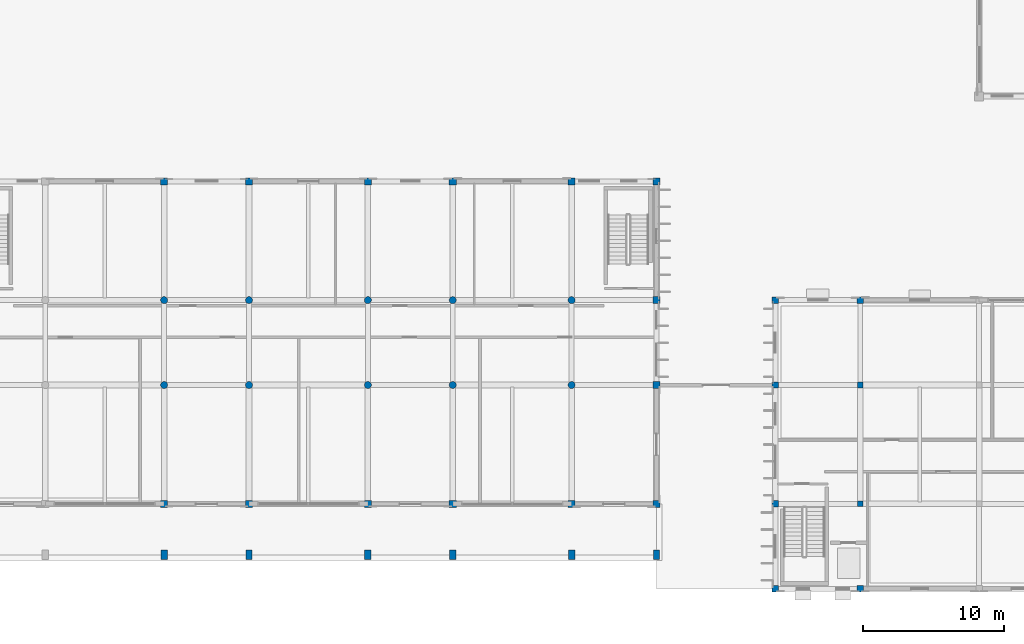
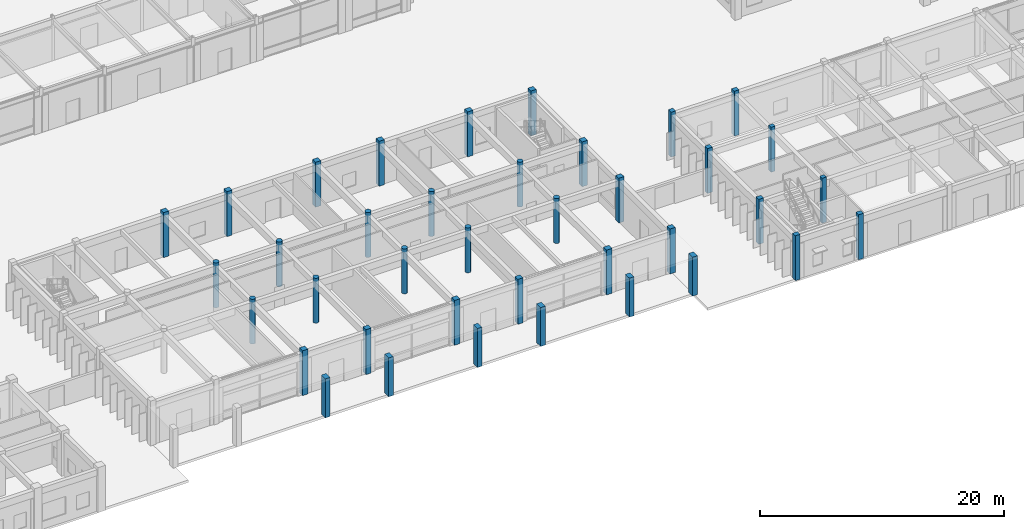
# One storey, part 3 of 67: 38 columns.
"""IFC4 building model written with IfcOpenShell, lengths in metres."""

from ifc_helpers import new_model, si_unit, direction, frame, origin, origin_2d, place, context, subcontext, project, spatial, rectangle, circle, extrude, material, material_profile, profile_set, type_object, element, save


model = new_model("IFC4")

# Units and contexts
model_context = context("Model", 3, precision=1e-05, world=origin(), true_north=direction((0.0, 1.0)))
body_context = subcontext(model_context, "Body", "Model", "MODEL_VIEW")
ifc_project = project(units=[si_unit("LENGTHUNIT", "METRE"), si_unit("AREAUNIT", "SQUARE_METRE"), si_unit("VOLUMEUNIT", "CUBIC_METRE"), si_unit("PLANEANGLEUNIT", "RADIAN"), si_unit("MASSUNIT", "GRAM", prefix="KILO"), si_unit("THERMODYNAMICTEMPERATUREUNIT", "KELVIN")], contexts=[model_context])

# Site, building, storey
site_placement = place(None, origin())
site = spatial("IfcSite", under=ifc_project, at=site_placement, CompositionType="ELEMENT")
building_placement = place(site_placement, origin())
building = spatial("IfcBuilding", under=site, at=building_placement, Name="Thalorik Housing Commons", CompositionType="ELEMENT")
storey_placement = place(building_placement, origin())
storey = spatial("IfcBuildingStorey", under=building, at=storey_placement, Name="L00", CompositionType="ELEMENT", Elevation=0.0)

# Columns
ifc_material = material(Name="Precast concrete C40/50", Category="concrete")
ifc_material_profile_1 = material_profile(ifc_material, circle(Radius=0.25, at=origin_2d()), Name="PC D500", Category="concrete")
ifc_profile_set_1 = profile_set([ifc_material_profile_1], Name="Precast concrete C40/50")
column_type_1 = type_object("IfcColumnType", Name="STR-COL-D500", PredefinedType="COLUMN", material=ifc_profile_set_1)
for number, where, z_axis, x_axis, name in (
    (1, (80.39990234375, 22.800048828125, 0.0), (0.0, 0.0, 1.0), (1.0, 0.0, 0.0), "L00 Column C-D50"),
    (2, (80.39990234375, 28.800048828125, 0.0), (0.0, 0.0, 1.0), (1.0, 0.0, 0.0), "L00 Column C-D50"),
    (3, (86.39990234375, 22.800048828125, 0.0), (0.0, 0.0, 1.0), (1.0, 0.0, 0.0), "L00 Column C-D50"),
    (4, (86.39990234375, 28.800048828125, 0.0), (0.0, 0.0, 1.0), (1.0, 0.0, 0.0), "L00 Column C-D50"),
    (5, (94.800048828125, 22.800048828125, 0.0), (0.0, 0.0, 1.0), (1.0, 0.0, 0.0), "L00 Column C-D50"),
    (6, (94.800048828125, 28.800048828125, 0.0), (0.0, 0.0, 1.0), (1.0, 0.0, 0.0), "L00 Column C-D50"),
    (7, (100.800048828125, 22.800048828125, 0.0), (0.0, 0.0, 1.0), (1.0, 0.0, 0.0), "L00 Column C-D50"),
    (8, (100.800048828125, 28.800048828125, 0.0), (0.0, 0.0, 1.0), (1.0, 0.0, 0.0), "L00 Column C-D50"),
    (9, (109.199951171875, 22.800048828125, 0.0), (0.0, 0.0, 1.0), (1.0, 0.0, 0.0), "L00 Column C-D50"),
    (10, (109.199951171875, 28.800048828125, 0.0), (0.0, 0.0, 1.0), (1.0, 0.0, 0.0), "L00 Column C-D50"),
):
    element("IfcColumn", number, at=place(storey_placement, frame(where, z_axis=z_axis, x_axis=x_axis)), inside=storey, type_object=column_type_1, Name=name, PredefinedType="COLUMN", context=body_context, shape_type="SweptSolid", body=[
        extrude(circle(Radius=0.25, at=origin_2d()), origin(), (0.0, 0.0, 1.0), 4.5),
    ])
ifc_material_profile_2 = material_profile(ifc_material, rectangle(XDim=0.39990234375, YDim=0.39990234375, at=origin_2d()), Name="PC 400x400", Category="concrete")
ifc_profile_set_2 = profile_set([ifc_material_profile_2], Name="Precast concrete C40/50")
column_type_2 = type_object("IfcColumnType", Name="STR-COL-PC400", PredefinedType="COLUMN", material=ifc_profile_set_2)
for number, where, z_axis, x_axis, name in (
    (11, (129.60009765625, 14.39990234375, 0.0), (0.0, 0.0, 1.0), (1.0, 0.0, 0.0), "L00 Column C-400"),
    (12, (129.60009765625, 22.800048828125, 0.0), (0.0, 0.0, 1.0), (1.0, 0.0, 0.0), "L00 Column C-400"),
):
    element("IfcColumn", number, at=place(storey_placement, frame(where, z_axis=z_axis, x_axis=x_axis)), inside=storey, type_object=column_type_2, Name=name, PredefinedType="COLUMN", context=body_context, shape_type="SweptSolid", body=[
        extrude(rectangle(XDim=0.39990234375, YDim=0.39990234375, at=origin_2d()), origin(), (0.0, 0.0, 1.0), 4.5),
    ])
ifc_material_profile_3 = material_profile(ifc_material, rectangle(XDim=0.449951171875, YDim=0.449951171875, at=origin_2d()), Name="PC 450x450", Category="concrete")
ifc_profile_set_3 = profile_set([ifc_material_profile_3], Name="Precast concrete C40/50")
column_type_3 = type_object("IfcColumnType", Name="STR-COL-PC450", PredefinedType="COLUMN", material=ifc_profile_set_3)
for number, where, z_axis, x_axis, name in (
    (13, (123.60009765625, 8.39990234375, 0.0), (0.0, 0.0, 1.0), (1.0, 0.0, 0.0), "L00 Column C-450"),
    (14, (123.60009765625, 14.39990234375, 0.0), (0.0, 0.0, 1.0), (1.0, 0.0, 0.0), "L00 Column C-450"),
    (15, (123.60009765625, 22.800048828125, 0.0), (0.0, 0.0, 1.0), (1.0, 0.0, 0.0), "L00 Column C-450"),
    (16, (123.60009765625, 28.800048828125, 0.0), (0.0, 0.0, 1.0), (1.0, 0.0, 0.0), "L00 Column C-450"),
    (17, (129.60009765625, 8.39990234375, 0.0), (0.0, 0.0, 1.0), (1.0, 0.0, 0.0), "L00 Column C-450"),
    (18, (129.60009765625, 28.800048828125, 0.0), (0.0, 0.0, 1.0), (1.0, 0.0, 0.0), "L00 Column C-450"),
):
    element("IfcColumn", number, at=place(storey_placement, frame(where, z_axis=z_axis, x_axis=x_axis)), inside=storey, type_object=column_type_3, Name=name, PredefinedType="COLUMN", context=body_context, shape_type="SweptSolid", body=[
        extrude(rectangle(XDim=0.449951171875, YDim=0.449951171875, at=origin_2d()), origin(), (0.0, 0.0, 1.0), 4.5),
    ])
ifc_material_profile_4 = material_profile(ifc_material, rectangle(XDim=0.5, YDim=0.5, at=origin_2d()), Name="PC 500x500", Category="concrete")
ifc_profile_set_4 = profile_set([ifc_material_profile_4], Name="Precast concrete C40/50")
column_type_4 = type_object("IfcColumnType", Name="STR-COL-PC500", PredefinedType="COLUMN", material=ifc_profile_set_4)
for number, where, z_axis, x_axis, name in (
    (19, (80.39990234375, 14.39990234375, 0.0), (0.0, 0.0, 1.0), (1.0, 0.0, 0.0), "L00 Column C-500"),
    (20, (80.39990234375, 37.199951171875, 0.0), (0.0, 0.0, 1.0), (1.0, 0.0, 0.0), "L00 Column C-500"),
    (21, (86.39990234375, 14.39990234375, 0.0), (0.0, 0.0, 1.0), (1.0, 0.0, 0.0), "L00 Column C-500"),
    (22, (86.39990234375, 37.199951171875, 0.0), (0.0, 0.0, 1.0), (1.0, 0.0, 0.0), "L00 Column C-500"),
    (23, (94.800048828125, 14.39990234375, 0.0), (0.0, 0.0, 1.0), (1.0, 0.0, 0.0), "L00 Column C-500"),
    (24, (94.800048828125, 37.199951171875, 0.0), (0.0, 0.0, 1.0), (1.0, 0.0, 0.0), "L00 Column C-500"),
    (25, (100.800048828125, 14.39990234375, 0.0), (0.0, 0.0, 1.0), (1.0, 0.0, 0.0), "L00 Column C-500"),
    (26, (100.800048828125, 37.199951171875, 0.0), (0.0, 0.0, 1.0), (1.0, 0.0, 0.0), "L00 Column C-500"),
    (27, (109.199951171875, 14.39990234375, 0.0), (0.0, 0.0, 1.0), (1.0, 0.0, 0.0), "L00 Column C-500"),
    (28, (109.199951171875, 37.199951171875, 0.0), (0.0, 0.0, 1.0), (1.0, 0.0, 0.0), "L00 Column C-500"),
    (29, (115.199951171875, 14.39990234375, 0.0), (0.0, 0.0, 1.0), (1.0, 0.0, 0.0), "L00 Column C-500"),
    (30, (115.199951171875, 22.800048828125, 0.0), (0.0, 0.0, 1.0), (1.0, 0.0, 0.0), "L00 Column C-500"),
    (31, (115.199951171875, 28.800048828125, 0.0), (0.0, 0.0, 1.0), (1.0, 0.0, 0.0), "L00 Column C-500"),
    (32, (115.199951171875, 37.199951171875, 0.0), (0.0, 0.0, 1.0), (1.0, 0.0, 0.0), "L00 Column C-500"),
):
    element("IfcColumn", number, at=place(storey_placement, frame(where, z_axis=z_axis, x_axis=x_axis)), inside=storey, type_object=column_type_4, Name=name, PredefinedType="COLUMN", context=body_context, shape_type="SweptSolid", body=[
        extrude(rectangle(XDim=0.5, YDim=0.5, at=origin_2d()), origin(), (0.0, 0.0, 1.0), 4.5),
    ])
ifc_material_profile_5 = material_profile(ifc_material, rectangle(XDim=0.449951171875, YDim=0.64990234375, at=origin_2d()), Name="PC 450x650", Category="concrete")
ifc_profile_set_5 = profile_set([ifc_material_profile_5], Name="Precast concrete C40/50")
column_type_5 = type_object("IfcColumnType", Name="STR-PIL-450x650", PredefinedType="PILASTER", material=ifc_profile_set_5)
for number, where, z_axis, x_axis, name in (
    (33, (80.39990234375, 10.800048828125, 0.0), (0.0, 0.0, 1.0), (1.0, 0.0, 0.0), "L00 Column PL-65"),
    (34, (86.39990234375, 10.800048828125, 0.0), (0.0, 0.0, 1.0), (1.0, 0.0, 0.0), "L00 Column PL-65"),
    (35, (94.800048828125, 10.800048828125, 0.0), (0.0, 0.0, 1.0), (1.0, 0.0, 0.0), "L00 Column PL-65"),
    (36, (100.800048828125, 10.800048828125, 0.0), (0.0, 0.0, 1.0), (1.0, 0.0, 0.0), "L00 Column PL-65"),
    (37, (109.199951171875, 10.800048828125, 0.0), (0.0, 0.0, 1.0), (1.0, 0.0, 0.0), "L00 Column PL-65"),
    (38, (115.199951171875, 10.800048828125, 0.0), (0.0, 0.0, 1.0), (1.0, 0.0, 0.0), "L00 Column PL-65"),
):
    element("IfcColumn", number, at=place(storey_placement, frame(where, z_axis=z_axis, x_axis=x_axis)), inside=storey, type_object=column_type_5, Name=name, PredefinedType="PILASTER", context=body_context, shape_type="SweptSolid", body=[
        extrude(rectangle(XDim=0.449951171875, YDim=0.64990234375, at=origin_2d()), origin(), (0.0, 0.0, 1.0), 3.89990234375),
    ])

save(model, "model.ifc")
